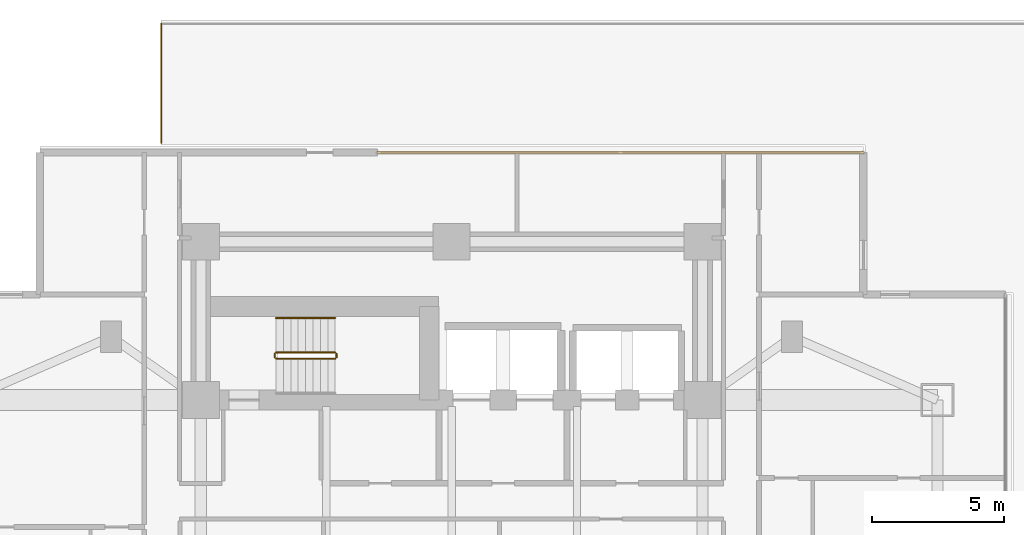
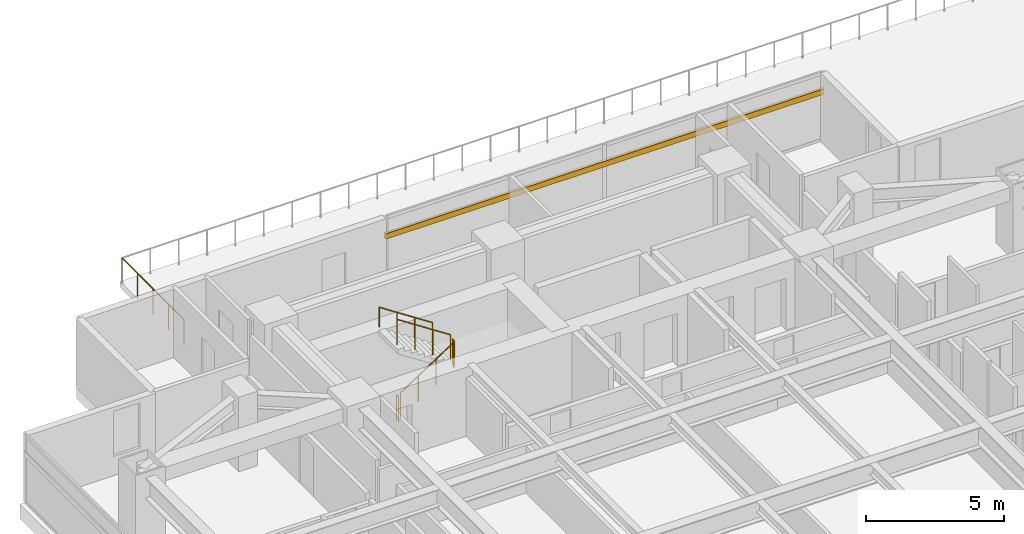
# One storey, part 22 of 26: 6 railings, 1 shading device.
"""IFC4 building model written with IfcOpenShell, lengths in metres."""

import ifcopenshell
import ifcopenshell.guid

model = None  # the IFC model being written
_history = None  # IfcOwnerHistory: only IFC2X3 demands one
_inside = {}  # id of a spatial element -> (the spatial element, [elements in it])
_under = {}  # id of a project, library or spatial element -> (it, [spatial elements below it])
_declared = {}  # id of a project -> (the project, [libraries it declares])
_typed = {}  # id of a type object -> (the type object, [elements of that type])
_made_of = {}  # id of a material, layer set ... -> (it, [elements and type objects made of it])


def new_model(schema):
    """Start an empty IFC model of exactly this schema.

    Asked for "IFC4X3", IfcOpenShell would pick the latest addendum, in which some entities
    have other attributes; the version numbers below select the first issue.
    IFC2X3 requires an IfcOwnerHistory on every rooted entity: one is made here for all.
    """
    global model, _history
    if schema == "IFC4X3":
        model = ifcopenshell.file(schema_version=(4, 3, 0, 0))
    else:
        model = ifcopenshell.file(schema=schema)
    _inside.clear()
    _under.clear()
    _declared.clear()
    _typed.clear()
    _made_of.clear()
    _history = None
    if model.schema == "IFC2X3":
        org = make("IfcOrganization", Name="unknown")
        user = make(
            "IfcPersonAndOrganization",
            ThePerson=make("IfcPerson", FamilyName="unknown"),
            TheOrganization=org,
        )
        app = make(
            "IfcApplication",
            ApplicationDeveloper=org,
            Version="unknown",
            ApplicationFullName="unknown",
            ApplicationIdentifier="unknown",
        )
        _history = make(
            "IfcOwnerHistory",
            OwningUser=user,
            OwningApplication=app,
            ChangeAction="ADDED",
            CreationDate=0,
        )
    return model


def make(cls, **values):
    """One entity of the class cls with the attributes given. An attribute that is None is left unset."""
    return model.create_entity(
        cls, **{name: value for name, value in values.items() if value is not None}
    )


def rooted(cls, **values):
    """An entity with a GlobalId (a new one), such as an element, a storey or a relation."""
    return make(cls, GlobalId=ifcopenshell.guid.new(), OwnerHistory=_history, **values)


def si_unit(unit_type, name, prefix=None):
    """IfcSIUnit, for example si_unit("LENGTHUNIT", "METRE", prefix="MILLI")."""
    return make("IfcSIUnit", UnitType=unit_type, Prefix=prefix, Name=name)


def assignment(units):
    """IfcUnitAssignment: the units of a project."""
    return None if units is None else make("IfcUnitAssignment", Units=units)


def point(xyz):
    """IfcCartesianPoint."""
    return None if xyz is None else make("IfcCartesianPoint", Coordinates=xyz)


def direction(xyz):
    """IfcDirection."""
    return None if xyz is None else make("IfcDirection", DirectionRatios=xyz)


def frame(location, z_axis=None, x_axis=None):
    """IfcAxis2Placement3D, a coordinate frame: its origin and axes. An axis left out is left unset."""
    return make(
        "IfcAxis2Placement3D",
        Location=point(location),
        Axis=direction(z_axis),
        RefDirection=direction(x_axis),
    )


def frame_2d(location, x_axis=None):
    """IfcAxis2Placement2D, a coordinate frame in the plane: its origin and x axis."""
    return make(
        "IfcAxis2Placement2D", Location=point(location), RefDirection=direction(x_axis)
    )


def origin():
    """The frame at (0, 0, 0) with its axes left unset."""
    return frame((0.0, 0.0, 0.0))


def origin_2d():
    """The frame at (0, 0) in the plane with its x axis left unset."""
    return frame_2d((0.0, 0.0))


def place(relative_to, where):
    """IfcLocalPlacement: puts the frame where relative to a parent placement (None: the world)."""
    return make(
        "IfcLocalPlacement", PlacementRelTo=relative_to, RelativePlacement=where
    )


def context(
    kind, dimensions, precision=None, world=None, true_north=None, identifier=None
):
    """IfcGeometricRepresentationContext, for example the 3D "Model" context."""
    return make(
        "IfcGeometricRepresentationContext",
        ContextIdentifier=identifier,
        ContextType=kind,
        CoordinateSpaceDimension=dimensions,
        Precision=precision,
        WorldCoordinateSystem=world,
        TrueNorth=true_north,
    )


def subcontext(parent, identifier, kind, view, scale=None):
    """IfcGeometricRepresentationSubContext, for example "Body" below "Model"."""
    return make(
        "IfcGeometricRepresentationSubContext",
        ContextIdentifier=identifier,
        ContextType=kind,
        ParentContext=parent,
        TargetScale=scale,
        TargetView=view,
    )


def project(units=None, contexts=None):
    """IfcProject with its units and contexts."""
    return rooted(
        "IfcProject",
        Name="project",
        RepresentationContexts=contexts,
        UnitsInContext=assignment(units),
    )


def spatial(cls, under=None, at=None, **own):
    """A site, building, storey or space (cls), placed at a placement, below another one or the project."""
    s = rooted(cls, ObjectPlacement=at, **own)
    if under is not None:
        _under.setdefault(under.id(), (under, []))[1].append(s)
    return s


def profile(cls, at=None, kind="AREA", **sizes):
    """A parametric profile (cls). Its sizes go by their IFC names, for example OverallWidth=200.0."""
    return make(cls, ProfileType=kind, Position=at, **sizes)


def rectangle(**sizes):
    """IfcRectangleProfileDef."""
    return profile("IfcRectangleProfileDef", **sizes)


def circle(**sizes):
    """IfcCircleProfileDef."""
    return profile("IfcCircleProfileDef", **sizes)


def extrude(swept, where, along, depth):
    """IfcExtrudedAreaSolid: the profile swept, set in the frame where, extruded along a direction by depth."""
    return make(
        "IfcExtrudedAreaSolid",
        SweptArea=swept,
        Position=where,
        ExtrudedDirection=direction(along),
        Depth=depth,
    )


def shape(context_of_items, identifier, shape_type, items):
    """IfcShapeRepresentation: the items that make up one representation, for example the "Body"."""
    return make(
        "IfcShapeRepresentation",
        ContextOfItems=context_of_items,
        RepresentationIdentifier=identifier,
        RepresentationType=shape_type,
        Items=items,
    )


def material(Name=None, Category=None):
    """IfcMaterial."""
    return make("IfcMaterial", Name=Name, Category=Category)


def material_profile(
    of_material, cross_section, Name=None, Category=None, Priority=None
):
    """IfcMaterialProfile: a cross section and its material."""
    return make(
        "IfcMaterialProfile",
        Name=Name,
        Material=of_material,
        Profile=cross_section,
        Priority=Priority,
        Category=Category,
    )


def profile_set(profiles, Name=None, composite=None):
    """IfcMaterialProfileSet."""
    return make(
        "IfcMaterialProfileSet",
        Name=Name,
        MaterialProfiles=profiles,
        CompositeProfile=composite,
    )


def made_of(thing, what):
    """Note that an element or type object is made of a material, layer set ...; save() writes the relation."""
    if what is not None:
        _made_of.setdefault(what.id(), (what, []))[1].append(thing)
    return thing


def type_object(cls, material=None, **own):
    """A type object (cls), such as IfcWallType, which elements share."""
    return made_of(rooted(cls, **own), material)


def element(
    cls,
    number,
    at=None,
    inside=None,
    cuts=None,
    type_object=None,
    material=None,
    context=None,
    identifier="Body",
    shape_type=None,
    held_by="IfcProductDefinitionShape",
    body=None,
    shapes=None,
    **own,
):
    """One element of the class cls, such as IfcWall. Its Tag is "e" and its number.

    at: its placement. inside: the storey or other place that contains it. cuts: it is an
    opening in that element (IfcRelVoidsElement). A single representation is given by context,
    identifier, shape_type and body (its items); several are given by shapes. held_by: the class
    of the entity that holds the representations. save() writes the other relations.
    """
    e = rooted(cls, Tag="e%d" % number, ObjectPlacement=at, **own)
    if body is not None:
        shapes = [shape(context, identifier, shape_type, body)]
    if shapes is not None:
        e.Representation = make(held_by, Representations=shapes)
    if inside is not None:
        _inside.setdefault(inside.id(), (inside, []))[1].append(e)
    if cuts is not None:
        rooted(
            "IfcRelVoidsElement", RelatingBuildingElement=cuts, RelatedOpeningElement=e
        )
    if type_object is not None:
        _typed.setdefault(type_object.id(), (type_object, []))[1].append(e)
    return made_of(e, material)


def aggregate(whole, parts):
    """IfcRelAggregates: a whole, such as a stair, and the parts it consists of."""
    return rooted("IfcRelAggregates", RelatingObject=whole, RelatedObjects=parts)


def save(model, path):
    """Write the relations noted so far, then the file.

    IfcRelAggregates (storeys below a building ...), IfcRelContainedInSpatialStructure (elements
    in a storey), IfcRelDefinesByType, IfcRelAssociatesMaterial and IfcRelDeclares: one each for
    every whole, place, type object, material and project.
    """
    for whole, parts in _under.values():
        aggregate(whole, parts)
    for where, things in _inside.values():
        rooted(
            "IfcRelContainedInSpatialStructure",
            RelatedElements=things,
            RelatingStructure=where,
        )
    for kind, things in _typed.values():
        rooted("IfcRelDefinesByType", RelatedObjects=things, RelatingType=kind)
    for what, things in _made_of.values():
        rooted("IfcRelAssociatesMaterial", RelatedObjects=things, RelatingMaterial=what)
    for by, libraries in _declared.values():
        rooted("IfcRelDeclares", RelatingContext=by, RelatedDefinitions=libraries)
    model.write(path)


model = new_model("IFC4")

# Units and contexts
model_context = context("Model", 3, precision=1e-05, world=origin(), true_north=direction((0.0, 1.0)))
body_context = subcontext(model_context, "Body", "Model", "MODEL_VIEW")
ifc_project = project(units=[si_unit("LENGTHUNIT", "METRE"), si_unit("AREAUNIT", "SQUARE_METRE"), si_unit("VOLUMEUNIT", "CUBIC_METRE"), si_unit("PLANEANGLEUNIT", "RADIAN"), si_unit("MASSUNIT", "GRAM", prefix="KILO")], contexts=[model_context])

# Site, building, storey
site_placement = place(None, origin())
site = spatial("IfcSite", under=ifc_project, at=site_placement, CompositionType="ELEMENT")
building_placement = place(site_placement, origin())
building = spatial("IfcBuilding", under=site, at=building_placement, Name="Mirazonda Arch Towers", CompositionType="ELEMENT")
storey_placement = place(building_placement, frame((0.0, 0.0, 22.39990234375)))
storey = spatial("IfcBuildingStorey", under=building, at=storey_placement, Name="L05", CompositionType="ELEMENT", Elevation=22.39990234375)

# Shading device
ifc_material_1 = material(Name="Kiln-Fired Architectural Terracotta", Category="masonry")
ifc_material_profile = material_profile(ifc_material_1, rectangle(XDim=0.1201171875, YDim=0.239990234375, at=origin_2d()), Name="TERRA-BAG-120x240")
ifc_profile_set = profile_set([ifc_material_profile], Name="Kiln-Fired Architectural Terracotta")
shading_device_type = type_object("IfcShadingDeviceType", Name="BAGUETTE-1", PredefinedType="USERDEFINED", material=ifc_profile_set)
shading_device_placement = place(storey_placement, frame((17.699951171875, 46.97998046875, 2.18896484375), z_axis=(1.0, 0.0, 0.0), x_axis=(0.0, 1.0, 0.0)))
element("IfcShadingDevice", 1, at=shading_device_placement, inside=storey, type_object=shading_device_type, Name="L05 Glazed Terracotta Sun-Screen Baguette CW-L05-T1-N", ObjectType="BAGUETTE", PredefinedType="USERDEFINED", context=body_context, shape_type="SweptSolid", body=[
    extrude(rectangle(XDim=0.1201171875, YDim=0.239990234375, at=origin_2d()), origin(), (0.0, 0.0, 1.0), 18.400146484375),
])

# Railings
ifc_material_2 = material(Name="Architectural Brushed Steel S355", Category="steel")
railing_type_1 = type_object("IfcRailingType", Name="GUARD-EXT-1150", PredefinedType="GUARDRAIL", material=ifc_material_2)
railing_1_placement = place(storey_placement, frame((9.5, 51.860107421875, 0.0)))
element("IfcRailing", 2, at=railing_1_placement, inside=storey, type_object=railing_type_1, Name="L05 Podium Roof Terrace Perimeter Guard 09", PredefinedType="GUARDRAIL", context=body_context, shape_type="SweptSolid", body=[
    extrude(circle(Radius=0.02392578125, at=origin_2d()), frame((0.0, 0.0, 1.1259765625), z_axis=(0.0, -1.0, 0.0), x_axis=(1.0, 0.0, 0.0)), (0.0, 0.0, 1.0), 4.510009765625),
    extrude(circle(Radius=0.02099609375, at=origin_2d()), origin(), (0.0, 0.0, 1.0), 1.101806640625),
    extrude(circle(Radius=0.02099609375, at=origin_2d()), frame((0.0, -1.12744140625, 0.0)), (0.0, 0.0, 1.0), 1.101806640625),
    extrude(circle(Radius=0.02099609375, at=origin_2d()), frame((0.0, -2.2548828125, 0.0)), (0.0, 0.0, 1.0), 1.101806640625),
    extrude(circle(Radius=0.02099609375, at=origin_2d()), frame((0.0, -3.382568359375, 0.0)), (0.0, 0.0, 1.0), 1.101806640625),
    extrude(circle(Radius=0.02099609375, at=origin_2d()), frame((0.0, -4.510009765625, 0.0)), (0.0, 0.0, 1.0), 1.101806640625),
])
railing_type_2 = type_object("IfcRailingType", Name="GUARD-STAIR-1120", PredefinedType="GUARDRAIL", material=ifc_material_2)
railing_2_placement = place(storey_placement, frame((13.85009765625, 39.169921875, 0.183349609375)))
element("IfcRailing", 3, at=railing_2_placement, inside=storey, type_object=railing_type_2, Name="L05 ST-T1N stair guard 1", PredefinedType="GUARDRAIL", context=body_context, shape_type="SweptSolid", body=[
    extrude(circle(Radius=0.02392578125, at=origin_2d()), frame((0.0, 0.0, 1.1259765625), z_axis=(0.836595146698, 0.0, 0.547821650285), x_axis=(0.0, 1.0, 0.0)), (0.0, 0.0, 1.0), 2.677490234375),
    extrude(circle(Radius=0.02099609375, at=origin_2d()), origin(), (0.0, 0.0, 1.0), 1.101806640625),
    extrude(circle(Radius=0.02099609375, at=origin_2d()), frame((0.74658203125, 0.0, 0.489013671875)), (0.0, 0.0, 1.0), 1.101806640625),
    extrude(circle(Radius=0.02099609375, at=origin_2d()), frame((1.493408203125, 0.0, 0.977783203125)), (0.0, 0.0, 1.0), 1.101806640625),
    extrude(circle(Radius=0.02099609375, at=origin_2d()), frame((2.239990234375, 0.0, 1.466796875)), (0.0, 0.0, 1.0), 1.101806640625),
])
railing_3_placement = place(storey_placement, frame((16.139892578125, 39.219970703125, 1.650146484375)))
element("IfcRailing", 4, at=railing_3_placement, inside=storey, type_object=railing_type_2, Name="L05 ST-T1N stair guard 2", PredefinedType="GUARDRAIL", context=body_context, shape_type="SweptSolid", body=[
    extrude(circle(Radius=0.02392578125, at=origin_2d()), frame((0.0, 0.0, 1.1259765625), z_axis=(0.0, 1.0, 0.0), x_axis=(-1.0, 0.0, 0.0)), (0.0, 0.0, 1.0), 0.14013671875),
    extrude(circle(Radius=0.02099609375, at=origin_2d()), origin(), (0.0, 0.0, 1.0), 1.101806640625),
    extrude(circle(Radius=0.02099609375, at=origin_2d()), frame((0.0, 0.14013671875, 0.0)), (0.0, 0.0, 1.0), 1.101806640625),
])
railing_4_placement = place(storey_placement, frame((16.090087890625, 39.409912109375, 1.83349609375)))
element("IfcRailing", 5, at=railing_4_placement, inside=storey, type_object=railing_type_2, Name="L05 ST-T1N stair guard 3", PredefinedType="GUARDRAIL", context=body_context, shape_type="SweptSolid", body=[
    extrude(circle(Radius=0.02392578125, at=origin_2d()), frame((0.0, 0.0, 1.1259765625), z_axis=(-0.836636935527, 0.0, 0.547757827979), x_axis=(0.0, -1.0, 0.0)), (0.0, 0.0, 1.0), 2.677490234375),
    extrude(circle(Radius=0.02099609375, at=origin_2d()), origin(), (0.0, 0.0, 1.0), 1.101806640625),
    extrude(circle(Radius=0.02099609375, at=origin_2d()), frame((-0.74658203125, 0.0, 0.48876953125)), (0.0, 0.0, 1.0), 1.101806640625),
    extrude(circle(Radius=0.02099609375, at=origin_2d()), frame((-1.493408203125, 0.0, 0.977783203125)), (0.0, 0.0, 1.0), 1.101806640625),
    extrude(circle(Radius=0.02099609375, at=origin_2d()), frame((-2.239990234375, 0.0, 1.466552734375)), (0.0, 0.0, 1.0), 1.101806640625),
])
railing_5_placement = place(storey_placement, frame((13.800048828125, 39.219970703125, 0.0)))
element("IfcRailing", 6, at=railing_5_placement, inside=storey, type_object=railing_type_2, Name="L05 ST-T1N stair guard 4", PredefinedType="GUARDRAIL", context=body_context, shape_type="SweptSolid", body=[
    extrude(circle(Radius=0.02392578125, at=origin_2d()), frame((0.0, 0.0, 1.1259765625), z_axis=(0.0, 1.0, 0.0), x_axis=(-1.0, 0.0, 0.0)), (0.0, 0.0, 1.0), 0.14013671875),
    extrude(circle(Radius=0.02099609375, at=origin_2d()), origin(), (0.0, 0.0, 1.0), 1.101806640625),
    extrude(circle(Radius=0.02099609375, at=origin_2d()), frame((0.0, 0.14013671875, 0.0)), (0.0, 0.0, 1.0), 1.101806640625),
])
railing_type_3 = type_object("IfcRailingType", Name="HANDRAIL-915", PredefinedType="HANDRAIL", material=ifc_material_2)
railing_6_placement = place(storey_placement, frame((16.090087890625, 40.7099609375, 1.83349609375)))
element("IfcRailing", 7, at=railing_6_placement, inside=storey, type_object=railing_type_3, Name="L05 ST-T1N stair handrail 2", PredefinedType="HANDRAIL", context=body_context, shape_type="SweptSolid", body=[
    extrude(circle(Radius=0.02392578125, at=origin_2d()), frame((0.0, 0.0, 0.8759765625), z_axis=(-0.836636935527, 0.0, 0.547757827979), x_axis=(0.0, -1.0, 0.0)), (0.0, 0.0, 1.0), 2.677490234375),
    extrude(circle(Radius=0.02099609375, at=origin_2d()), origin(), (0.0, 0.0, 1.0), 0.851806640625),
    extrude(circle(Radius=0.02099609375, at=origin_2d()), frame((-0.74658203125, 0.0, 0.48876953125)), (0.0, 0.0, 1.0), 0.851806640625),
    extrude(circle(Radius=0.02099609375, at=origin_2d()), frame((-1.493408203125, 0.0, 0.977783203125)), (0.0, 0.0, 1.0), 0.851806640625),
    extrude(circle(Radius=0.02099609375, at=origin_2d()), frame((-2.239990234375, 0.0, 1.466552734375)), (0.0, 0.0, 1.0), 0.851806640625),
])

save(model, "model.ifc")
